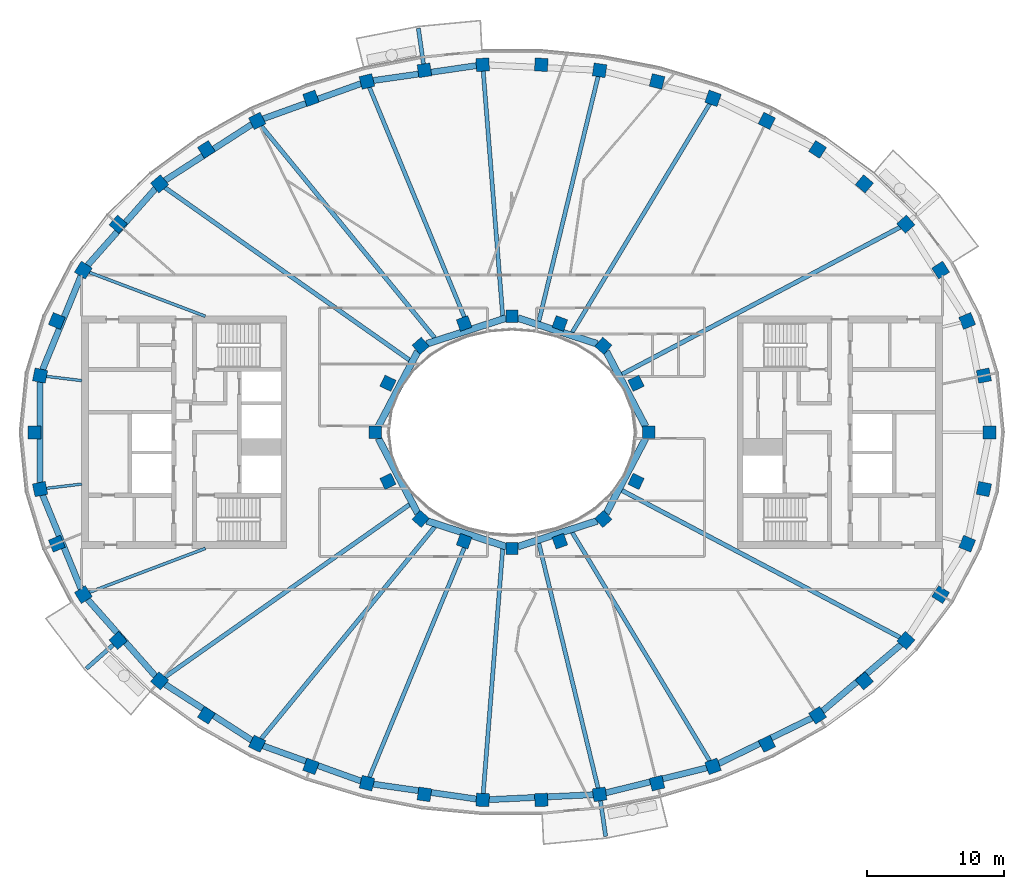
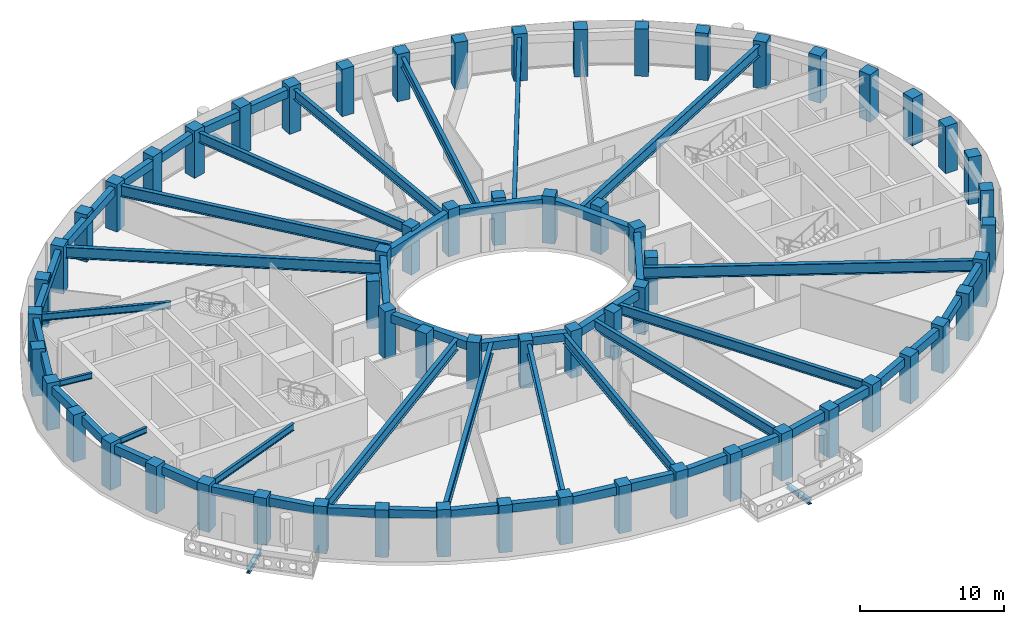
# One storey, part 1 of 16: 62 columns, 44 beams.
"""IFC4 building model written with IfcOpenShell, lengths in metres."""

from ifc_helpers import new_model, si_unit, direction, frame, origin, origin_2d, place, context, subcontext, project, spatial, rectangle, i_section, extrude, material, material_profile, profile_set, type_object, element, save


model = new_model("IFC4")

# Units and contexts
model_context = context("Model", 3, precision=1e-05, world=origin(), true_north=direction((0.0, 1.0)))
body_context = subcontext(model_context, "Body", "Model", "MODEL_VIEW")
ifc_project = project(units=[si_unit("LENGTHUNIT", "METRE"), si_unit("AREAUNIT", "SQUARE_METRE"), si_unit("VOLUMEUNIT", "CUBIC_METRE"), si_unit("PLANEANGLEUNIT", "RADIAN"), si_unit("MASSUNIT", "GRAM", prefix="KILO")], contexts=[model_context])

# Site, building, storey
site_placement = place(None, origin())
site = spatial("IfcSite", under=ifc_project, at=site_placement, CompositionType="ELEMENT")
building_placement = place(site_placement, origin())
building = spatial("IfcBuilding", under=site, at=building_placement, Name="Noorbagh Ring Tower", CompositionType="ELEMENT")
storey_placement = place(building_placement, frame((0.0, 0.0, 299.0)))
storey = spatial("IfcBuildingStorey", under=building, at=storey_placement, Name="L64", CompositionType="ELEMENT", Elevation=299.0)

# Columns
ifc_material_1 = material(Name="Concrete C50/60", Category="concrete")
ifc_material_profile_1 = material_profile(ifc_material_1, rectangle(XDim=0.949951171875, YDim=0.949951171875, at=origin_2d()), Name="RC950x950")
ifc_profile_set_1 = profile_set([ifc_material_profile_1], Name="Concrete C50/60")
column_type_1 = type_object("IfcColumnType", Name="STR-COL-RC950x950-C50-60", PredefinedType="COLUMN", material=ifc_profile_set_1)
for number, where, z_axis, x_axis, name in (
    (1, (34.944580078125, 0.0, 0.0), (0.0, 0.0, 1.0), (0.0, 1.0, 0.0), "L64/col/R1-01"),
    (2, (34.52685546875, 4.150634765625, 0.0), (0.0, 0.0, 1.0), (-0.19723040178, 0.9803571638, 0.0), "L64/col/R1-02"),
    (3, (33.30517578125, 8.1494140625, 0.0), (0.0, 0.0, 1.0), (-0.378989499959, 0.925400971969, 0.0), "L64/col/R1-03"),
    (4, (31.364990234375, 11.87109375, 0.0), (0.0, 0.0, 1.0), (-0.535190403059, 0.844731455833, 0.0), "L64/col/R1-04"),
    (5, (28.81884765625, 15.23046875, 0.0), (0.0, 0.0, 1.0), (-0.662635642662, 0.748941923699, 0.0), "L64/col/R1-05"),
    (6, (25.78271484375, 18.180419921875, 0.0), (0.0, 0.0, 1.0), (-0.763035199656, 0.646356932419, 0.0), "L64/col/R1-06"),
    (7, (22.362060546875, 20.699951171875, 0.0), (0.0, 0.0, 1.0), (-0.840247639643, 0.542202825586, 0.0), "L64/col/R1-07"),
    (8, (18.646240234375, 22.785400390625, 0.0), (0.0, 0.0, 1.0), (-0.898399080868, 0.439180021741, 0.0), "L64/col/R1-08"),
    (9, (14.70947265625, 24.44091796875, 0.0), (0.0, 0.0, 1.0), (-0.941024726094, 0.338337797003, 0.0), "L64/col/R1-09"),
    (10, (10.61328125, 25.673583984375, 0.0), (0.0, 0.0, 1.0), (-0.970829360981, 0.239771457553, 0.0), "L64/col/R1-10"),
    (11, (6.4091796875, 26.49072265625, 0.0), (0.0, 0.0, 1.0), (-0.989713114048, 0.143066249975, 0.0), "L64/col/R1-11"),
    (12, (2.14306640625, 26.89794921875, 0.0), (0.0, 0.0, 1.0), (-0.998868731212, 0.047552684538, 0.0), "L64/col/R1-12"),
    (13, (-2.14306640625, 26.89794921875, 0.0), (0.0, 0.0, 1.0), (-0.998868731212, -0.047552684538, 0.0), "L64/col/R1-13"),
    (14, (-6.4091796875, 26.49072265625, 0.0), (0.0, 0.0, 1.0), (-0.989713114048, -0.143066249975, 0.0), "L64/col/R1-14"),
    (15, (-10.61328125, 25.673583984375, 0.0), (0.0, 0.0, 1.0), (-0.970829360981, -0.239771457553, 0.0), "L64/col/R1-15"),
    (16, (-14.70947265625, 24.44091796875, 0.0), (0.0, 0.0, 1.0), (-0.941024726094, -0.338337797003, 0.0), "L64/col/R1-16"),
    (17, (-18.646240234375, 22.785400390625, 0.0), (0.0, 0.0, 1.0), (-0.898399080868, -0.439180021741, 0.0), "L64/col/R1-17"),
    (18, (-22.362060546875, 20.699951171875, 0.0), (0.0, 0.0, 1.0), (-0.840247639643, -0.542202825586, 0.0), "L64/col/R1-18"),
    (19, (-25.78271484375, 18.180419921875, 0.0), (0.0, 0.0, 1.0), (-0.763035199656, -0.646356932419, 0.0), "L64/col/R1-19"),
    (20, (-28.81884765625, 15.23046875, 0.0), (0.0, 0.0, 1.0), (-0.662635642662, -0.748941923699, 0.0), "L64/col/R1-20"),
    (21, (-31.364990234375, 11.87109375, 0.0), (0.0, 0.0, 1.0), (-0.535190403059, -0.844731455833, 0.0), "L64/col/R1-21"),
    (22, (-33.30517578125, 8.1494140625, 0.0), (0.0, 0.0, 1.0), (-0.378989499959, -0.925400971969, 0.0), "L64/col/R1-22"),
    (23, (-34.52685546875, 4.150634765625, 0.0), (0.0, 0.0, 1.0), (-0.19723040178, -0.9803571638, 0.0), "L64/col/R1-23"),
    (24, (-34.944580078125, 0.0, 0.0), (0.0, 0.0, 1.0), (0.0, -1.0, 0.0), "L64/col/R1-24"),
    (25, (-34.52685546875, -4.150634765625, 0.0), (0.0, 0.0, 1.0), (0.19723040178, -0.9803571638, 0.0), "L64/col/R1-25"),
    (26, (-33.30517578125, -8.1494140625, 0.0), (0.0, 0.0, 1.0), (0.378989499959, -0.925400971969, 0.0), "L64/col/R1-26"),
    (27, (-31.364990234375, -11.87109375, 0.0), (0.0, 0.0, 1.0), (0.535190403059, -0.844731455833, 0.0), "L64/col/R1-27"),
    (28, (-28.81884765625, -15.23046875, 0.0), (0.0, 0.0, 1.0), (0.662635642662, -0.748941923699, 0.0), "L64/col/R1-28"),
    (29, (-25.78271484375, -18.180419921875, 0.0), (0.0, 0.0, 1.0), (0.763035199656, -0.646356932419, 0.0), "L64/col/R1-29"),
    (30, (-22.362060546875, -20.699951171875, 0.0), (0.0, 0.0, 1.0), (0.840247639643, -0.542202825586, 0.0), "L64/col/R1-30"),
    (31, (-18.646240234375, -22.785400390625, 0.0), (0.0, 0.0, 1.0), (0.898399080868, -0.439180021741, 0.0), "L64/col/R1-31"),
    (32, (-14.70947265625, -24.44091796875, 0.0), (0.0, 0.0, 1.0), (0.941024726094, -0.338337797003, 0.0), "L64/col/R1-32"),
    (33, (-10.61328125, -25.673583984375, 0.0), (0.0, 0.0, 1.0), (0.970829360981, -0.239771457553, 0.0), "L64/col/R1-33"),
    (34, (-6.4091796875, -26.49072265625, 0.0), (0.0, 0.0, 1.0), (0.989713114048, -0.143066249975, 0.0), "L64/col/R1-34"),
    (35, (-2.14306640625, -26.89794921875, 0.0), (0.0, 0.0, 1.0), (0.998868731212, -0.047552684538, 0.0), "L64/col/R1-35"),
    (36, (2.14306640625, -26.89794921875, 0.0), (0.0, 0.0, 1.0), (0.998868731212, 0.047552684538, 0.0), "L64/col/R1-36"),
    (37, (6.4091796875, -26.49072265625, 0.0), (0.0, 0.0, 1.0), (0.989713114048, 0.143066249975, 0.0), "L64/col/R1-37"),
    (38, (10.61328125, -25.673583984375, 0.0), (0.0, 0.0, 1.0), (0.970829360981, 0.239771457553, 0.0), "L64/col/R1-38"),
    (39, (14.70947265625, -24.44091796875, 0.0), (0.0, 0.0, 1.0), (0.941024726094, 0.338337797003, 0.0), "L64/col/R1-39"),
    (40, (18.646240234375, -22.785400390625, 0.0), (0.0, 0.0, 1.0), (0.898399080868, 0.439180021741, 0.0), "L64/col/R1-40"),
    (41, (22.362060546875, -20.699951171875, 0.0), (0.0, 0.0, 1.0), (0.840247639643, 0.542202825586, 0.0), "L64/col/R1-41"),
    (42, (25.78271484375, -18.180419921875, 0.0), (0.0, 0.0, 1.0), (0.763035199656, 0.646356932419, 0.0), "L64/col/R1-42"),
    (43, (28.81884765625, -15.23046875, 0.0), (0.0, 0.0, 1.0), (0.662635642662, 0.748941923699, 0.0), "L64/col/R1-43"),
    (44, (31.364990234375, -11.87109375, 0.0), (0.0, 0.0, 1.0), (0.535190403059, 0.844731455833, 0.0), "L64/col/R1-44"),
    (45, (33.30517578125, -8.1494140625, 0.0), (0.0, 0.0, 1.0), (0.378989499959, 0.925400971969, 0.0), "L64/col/R1-45"),
    (46, (34.52685546875, -4.150634765625, 0.0), (0.0, 0.0, 1.0), (0.19723040178, 0.9803571638, 0.0), "L64/col/R1-46"),
):
    element("IfcColumn", number, at=place(storey_placement, frame(where, z_axis=z_axis, x_axis=x_axis)), inside=storey, type_object=column_type_1, Name=name, PredefinedType="COLUMN", context=body_context, shape_type="SweptSolid", body=[
        extrude(rectangle(XDim=0.949951171875, YDim=0.949951171875, at=origin_2d()), origin(), (0.0, 0.0, 1.0), 4.0),
    ])
ifc_material_2 = material(Name="Concrete C50/60", Category="concrete")
ifc_material_profile_2 = material_profile(ifc_material_2, rectangle(XDim=0.89990234375, YDim=0.89990234375, at=origin_2d()), Name="RC900x900")
ifc_profile_set_2 = profile_set([ifc_material_profile_2], Name="Concrete C50/60")
column_type_2 = type_object("IfcColumnType", Name="STR-ICOL-RC900x900-C50-60", PredefinedType="COLUMN", material=ifc_profile_set_2)
for number, where, z_axis, x_axis, name in (
    (47, (10.00830078125, 0.0, 0.0), (0.0, 0.0, 1.0), (0.0, 1.0, 0.0), "L64/col/IR2-W01"),
    (48, (9.07568359375, 3.58837890625, 0.0), (0.0, 0.0, 1.0), (-0.428666979171, 0.903462573087, 0.0), "L64/col/IR2-W03"),
    (49, (6.68212890625, 6.333740234375, 0.0), (0.0, 0.0, 1.0), (-0.75102249095, 0.660276622399, 0.0), "L64/col/IR2-W05"),
    (50, (3.5009765625, 7.967041015625, 0.0), (0.0, 0.0, 1.0), (-0.939019578916, 0.343863679984, 0.0), "L64/col/IR2-W07"),
    (51, (0.0, 8.5029296875, 0.0), (0.0, 0.0, 1.0), (-1.0, 0.0, 0.0), "L64/col/IR2-W09"),
    (52, (-3.5009765625, 7.967041015625, 0.0), (0.0, 0.0, 1.0), (-0.939019578916, -0.343863679984, 0.0), "L64/col/IR2-W11"),
    (53, (-6.68212890625, 6.333740234375, 0.0), (0.0, 0.0, 1.0), (-0.75102249095, -0.660276622399, 0.0), "L64/col/IR2-W13"),
    (54, (-9.07568359375, 3.58837890625, 0.0), (0.0, 0.0, 1.0), (-0.428666979171, -0.903462573087, 0.0), "L64/col/IR2-W15"),
    (55, (-10.00830078125, 0.0, 0.0), (0.0, 0.0, 1.0), (0.0, -1.0, 0.0), "L64/col/IR2-W17"),
    (56, (-9.07568359375, -3.58837890625, 0.0), (0.0, 0.0, 1.0), (0.428666979171, -0.903462573087, 0.0), "L64/col/IR2-W19"),
    (57, (-6.68212890625, -6.333740234375, 0.0), (0.0, 0.0, 1.0), (0.75102249095, -0.660276622399, 0.0), "L64/col/IR2-W21"),
    (58, (-3.5009765625, -7.967041015625, 0.0), (0.0, 0.0, 1.0), (0.939019578916, -0.343863679984, 0.0), "L64/col/IR2-W23"),
    (59, (0.0, -8.5029296875, 0.0), (0.0, 0.0, 1.0), (1.0, 0.0, 0.0), "L64/col/IR2-W25"),
    (60, (3.5009765625, -7.967041015625, 0.0), (0.0, 0.0, 1.0), (0.939019578916, 0.343863679984, 0.0), "L64/col/IR2-W27"),
    (61, (6.68212890625, -6.333740234375, 0.0), (0.0, 0.0, 1.0), (0.75102249095, 0.660276622399, 0.0), "L64/col/IR2-W29"),
    (62, (9.07568359375, -3.58837890625, 0.0), (0.0, 0.0, 1.0), (0.428666979171, 0.903462573087, 0.0), "L64/col/IR2-W31"),
):
    element("IfcColumn", number, at=place(storey_placement, frame(where, z_axis=z_axis, x_axis=x_axis)), inside=storey, type_object=column_type_2, Name=name, PredefinedType="COLUMN", context=body_context, shape_type="SweptSolid", body=[
        extrude(rectangle(XDim=0.89990234375, YDim=0.89990234375, at=origin_2d()), origin(), (0.0, 0.0, 1.0), 4.0),
    ])

# Beams
ifc_material_3 = material(Name="Steel S355", Category="steel")
ifc_material_profile_3 = material_profile(ifc_material_3, i_section(OverallWidth=0.300048828125, OverallDepth=0.39990234375, WebThickness=0.013427734375, FlangeThickness=0.02392578125, FilletRadius=0.027099609375, at=origin_2d()), Name="HEB400")
ifc_profile_set_3 = profile_set([ifc_material_profile_3], Name="Steel S355")
beam_type_1 = type_object("IfcBeamType", Name="STR-BALCONY-BRACKET-HEB400", PredefinedType="BEAM", material=ifc_profile_set_3)
beam_1_placement = place(storey_placement, frame((-6.474365234375, 26.941162109375, -0.5), z_axis=(-0.143047035154, 0.989715891422, 0.0), x_axis=(-0.989715891422, -0.143047035154, 0.0)))
element("IfcBeam", 63, at=beam_1_placement, inside=storey, type_object=beam_type_1, Name="Balcony bracket beam BN04", PredefinedType="BEAM", context=body_context, shape_type="SweptSolid", body=[
    extrude(i_section(OverallWidth=0.300048828125, OverallDepth=0.39990234375, WebThickness=0.013427734375, FlangeThickness=0.02392578125, FilletRadius=0.027099609375, at=origin_2d()), origin(), (0.0, 0.0, 1.0), 2.64892578125),
])
beam_2_placement = place(storey_placement, frame((-29.15966796875, -15.531982421875, -0.5), z_axis=(-0.749056248736, -0.662506404671, 0.0), x_axis=(0.662506404671, -0.749056248736, 0.0)))
element("IfcBeam", 64, at=beam_2_placement, inside=storey, type_object=beam_type_1, Name="Balcony bracket beam BS01", PredefinedType="BEAM", context=body_context, shape_type="SweptSolid", body=[
    extrude(i_section(OverallWidth=0.300048828125, OverallDepth=0.39990234375, WebThickness=0.013427734375, FlangeThickness=0.02392578125, FilletRadius=0.027099609375, at=origin_2d()), origin(), (0.0, 0.0, 1.0), 2.654296875),
])
beam_3_placement = place(storey_placement, frame((6.474365234375, -26.941162109375, -0.5), z_axis=(0.143047035154, -0.989715891422, 0.0), x_axis=(0.989715891422, 0.143047035154, 0.0)))
element("IfcBeam", 65, at=beam_3_placement, inside=storey, type_object=beam_type_1, Name="Balcony bracket beam BS04", PredefinedType="BEAM", context=body_context, shape_type="SweptSolid", body=[
    extrude(i_section(OverallWidth=0.300048828125, OverallDepth=0.39990234375, WebThickness=0.013427734375, FlangeThickness=0.02392578125, FilletRadius=0.027099609375, at=origin_2d()), origin(), (0.0, 0.0, 1.0), 2.64892578125),
])
ifc_material_4 = material(Name="Steel S355", Category="steel")
ifc_material_profile_4 = material_profile(ifc_material_4, i_section(OverallWidth=0.199951171875, OverallDepth=0.5, WebThickness=0.01025390625, FlangeThickness=0.01611328125, FilletRadius=0.02099609375, at=origin_2d()), Name="IPE500")
ifc_profile_set_4 = profile_set([ifc_material_profile_4], Name="Steel S355")
beam_type_2 = type_object("IfcBeamType", Name="STR-RAD-IPE500", PredefinedType="BEAM", material=ifc_profile_set_4)
for number, where, z_axis, x_axis, name in (
    (66, (-34.073486328125, 4.09619140625, 3.449951171875), (0.99285071941, -0.11936267828, 0.0), (0.11936267828, 0.99285071941, 0.0), "L64/bm/RD23"),
    (67, (-34.073486328125, -4.09619140625, 3.449951171875), (0.99285071941, 0.11936267828, 0.0), (-0.11936267828, 0.99285071941, 0.0), "L64/bm/RD25"),
):
    element("IfcBeam", number, at=place(storey_placement, frame(where, z_axis=z_axis, x_axis=x_axis)), inside=storey, type_object=beam_type_2, Name=name, PredefinedType="BEAM", context=body_context, shape_type="SweptSolid", body=[
        extrude(i_section(OverallWidth=0.199951171875, OverallDepth=0.5, WebThickness=0.01025390625, FlangeThickness=0.01611328125, FilletRadius=0.02099609375, at=origin_2d()), origin(), (0.0, 0.0, 1.0), 2.61181640625),
    ])
ifc_material_5 = material(Name="Steel S355", Category="steel")
ifc_material_profile_5 = material_profile(ifc_material_5, i_section(OverallWidth=0.219970703125, OverallDepth=0.60009765625, WebThickness=0.011962890625, FlangeThickness=0.01904296875, FilletRadius=0.02392578125, at=origin_2d()), Name="IPE600")
ifc_profile_set_5 = profile_set([ifc_material_profile_5], Name="Steel S355")
beam_type_3 = type_object("IfcBeamType", Name="STR-RAD-IPE600", PredefinedType="BEAM", material=ifc_profile_set_5)
for number, where, z_axis, x_axis, name in (
    (68, (-30.93017578125, 11.706298828125, 3.39990234375), (0.935258347676, -0.353965850192, 0.0), (0.353965850192, 0.935258347676, 0.0), "L64/bm/RD21"),
    (69, (-30.93017578125, -11.706298828125, 3.39990234375), (0.935258347676, 0.353965850192, 0.0), (-0.353965850192, 0.935258347676, 0.0), "L64/bm/RD27"),
):
    element("IfcBeam", number, at=place(storey_placement, frame(where, z_axis=z_axis, x_axis=x_axis)), inside=storey, type_object=beam_type_3, Name=name, PredefinedType="BEAM", context=body_context, shape_type="SweptSolid", body=[
        extrude(i_section(OverallWidth=0.219970703125, OverallDepth=0.60009765625, WebThickness=0.011962890625, FlangeThickness=0.01904296875, FilletRadius=0.02392578125, at=origin_2d()), origin(), (0.0, 0.0, 1.0), 9.078125),
    ])
ifc_material_6 = material(Name="Steel S355", Category="steel")
ifc_material_profile_6 = material_profile(ifc_material_6, i_section(OverallWidth=0.300048828125, OverallDepth=0.85009765625, WebThickness=0.013916015625, FlangeThickness=0.028076171875, at=origin_2d()), Name="PG850x300x14x28")
ifc_profile_set_6 = profile_set([ifc_material_profile_6], Name="Steel S355")
beam_type_4 = type_object("IfcBeamType", Name="STR-RAD-PG850x300x14x28", PredefinedType="BEAM", material=ifc_profile_set_6)
beam_4_placement = place(storey_placement, frame((14.469970703125, 24.04296875, 3.27490234375), z_axis=(-0.515650204939, -0.856799198264, 0.0), x_axis=(0.856799198264, -0.515650204939, 0.0)))
element("IfcBeam", 70, at=beam_4_placement, inside=storey, type_object=beam_type_4, Name="L64/bm/RD09", PredefinedType="BEAM", context=body_context, shape_type="SweptSolid", body=[
    extrude(i_section(OverallWidth=0.300048828125, OverallDepth=0.85009765625, WebThickness=0.013916015625, FlangeThickness=0.028076171875, at=origin_2d()), origin(), (0.0, 0.0, 1.0), 19.522705078125),
])
beam_5_placement = place(storey_placement, frame((6.3017578125, 26.046630859375, 3.27490234375), z_axis=(-0.235155145901, -0.97195784752, 0.0), x_axis=(0.97195784752, -0.235155145901, 0.0)))
element("IfcBeam", 71, at=beam_5_placement, inside=storey, type_object=beam_type_4, Name="L64/bm/RD11", PredefinedType="BEAM", context=body_context, shape_type="SweptSolid", body=[
    extrude(i_section(OverallWidth=0.300048828125, OverallDepth=0.85009765625, WebThickness=0.013916015625, FlangeThickness=0.028076171875, at=origin_2d()), origin(), (0.0, 0.0, 1.0), 18.456298828125),
])
beam_6_placement = place(storey_placement, frame((-2.10693359375, 26.444091796875, 3.27490234375), z_axis=(0.079423498712, -0.996840964172, 0.0), x_axis=(0.996840964172, 0.079423498712, 0.0)))
element("IfcBeam", 72, at=beam_6_placement, inside=storey, type_object=beam_type_4, Name="L64/bm/RD13", PredefinedType="BEAM", context=body_context, shape_type="SweptSolid", body=[
    extrude(i_section(OverallWidth=0.300048828125, OverallDepth=0.85009765625, WebThickness=0.013916015625, FlangeThickness=0.028076171875, at=origin_2d()), origin(), (0.0, 0.0, 1.0), 17.976318359375),
])
for number, where, z_axis, x_axis, name in (
    (73, (-10.437255859375, 25.248046875, 3.27490234375), (0.382035124729, -0.924147803911, 0.0), (0.924147803911, 0.382035124729, 0.0), "L64/bm/RD15"),
    (74, (-10.437255859375, -25.248046875, 3.27490234375), (0.382035124729, 0.924147803911, 0.0), (-0.924147803911, 0.382035124729, 0.0), "L64/bm/RD33"),
):
    element("IfcBeam", number, at=place(storey_placement, frame(where, z_axis=z_axis, x_axis=x_axis)), inside=storey, type_object=beam_type_4, Name=name, PredefinedType="BEAM", context=body_context, shape_type="SweptSolid", body=[
        extrude(i_section(OverallWidth=0.300048828125, OverallDepth=0.85009765625, WebThickness=0.013916015625, FlangeThickness=0.028076171875, at=origin_2d()), origin(), (0.0, 0.0, 1.0), 18.977294921875),
    ])
beam_7_placement = place(storey_placement, frame((-2.10693359375, -26.444091796875, 3.27490234375), z_axis=(0.079423498712, 0.996840964172, 0.0), x_axis=(-0.996840964172, 0.079423498712, 0.0)))
element("IfcBeam", 75, at=beam_7_placement, inside=storey, type_object=beam_type_4, Name="L64/bm/RD35", PredefinedType="BEAM", context=body_context, shape_type="SweptSolid", body=[
    extrude(i_section(OverallWidth=0.300048828125, OverallDepth=0.85009765625, WebThickness=0.013916015625, FlangeThickness=0.028076171875, at=origin_2d()), origin(), (0.0, 0.0, 1.0), 17.976318359375),
])
beam_8_placement = place(storey_placement, frame((6.3017578125, -26.046630859375, 3.27490234375), z_axis=(-0.235155145901, 0.97195784752, 0.0), x_axis=(-0.97195784752, -0.235155145901, 0.0)))
element("IfcBeam", 76, at=beam_8_placement, inside=storey, type_object=beam_type_4, Name="L64/bm/RD37", PredefinedType="BEAM", context=body_context, shape_type="SweptSolid", body=[
    extrude(i_section(OverallWidth=0.300048828125, OverallDepth=0.85009765625, WebThickness=0.013916015625, FlangeThickness=0.028076171875, at=origin_2d()), origin(), (0.0, 0.0, 1.0), 18.456298828125),
])
beam_9_placement = place(storey_placement, frame((14.469970703125, -24.04296875, 3.27490234375), z_axis=(-0.515650204939, 0.856799198264, 0.0), x_axis=(-0.856799198264, -0.515650204939, 0.0)))
element("IfcBeam", 77, at=beam_9_placement, inside=storey, type_object=beam_type_4, Name="L64/bm/RD39", PredefinedType="BEAM", context=body_context, shape_type="SweptSolid", body=[
    extrude(i_section(OverallWidth=0.300048828125, OverallDepth=0.85009765625, WebThickness=0.013916015625, FlangeThickness=0.028076171875, at=origin_2d()), origin(), (0.0, 0.0, 1.0), 19.522705078125),
])
ifc_material_7 = material(Name="Steel S355", Category="steel")
ifc_material_profile_7 = material_profile(ifc_material_7, i_section(OverallWidth=0.320068359375, OverallDepth=0.949951171875, WebThickness=0.01611328125, FlangeThickness=0.030029296875, at=origin_2d()), Name="PG950x320x16x30")
ifc_profile_set_7 = profile_set([ifc_material_profile_7], Name="Steel S355")
beam_type_5 = type_object("IfcBeamType", Name="STR-RAD-PG950x320x16x30", PredefinedType="BEAM", material=ifc_profile_set_7)
beam_10_placement = place(storey_placement, frame((28.404296875, 15.011474609375, 3.22509765625), z_axis=(-0.884125650742, -0.467249220118, 0.0), x_axis=(0.467249220118, -0.884125650742, 0.0)))
element("IfcBeam", 78, at=beam_10_placement, inside=storey, type_object=beam_type_5, Name="L64/bm/RD05", PredefinedType="BEAM", context=body_context, shape_type="SweptSolid", body=[
    extrude(i_section(OverallWidth=0.320068359375, OverallDepth=0.949951171875, WebThickness=0.01611328125, FlangeThickness=0.030029296875, at=origin_2d()), origin(), (0.0, 0.0, 1.0), 23.0361328125),
])
beam_11_placement = place(storey_placement, frame((-18.349853515625, 22.42333984375, 3.22509765625), z_axis=(0.633310080716, -0.773898146828, 0.0), x_axis=(0.773898146828, 0.633310080716, 0.0)))
element("IfcBeam", 79, at=beam_11_placement, inside=storey, type_object=beam_type_5, Name="L64/bm/RD17", PredefinedType="BEAM", context=body_context, shape_type="SweptSolid", body=[
    extrude(i_section(OverallWidth=0.320068359375, OverallDepth=0.949951171875, WebThickness=0.01611328125, FlangeThickness=0.030029296875, at=origin_2d()), origin(), (0.0, 0.0, 1.0), 20.045166015625),
])
for number, where, z_axis, x_axis, name in (
    (80, (-25.39794921875, 17.908935546875, 3.22509765625), (0.817258066594, -0.576271856494, 0.0), (0.576271856494, 0.817258066594, 0.0), "L64/bm/RD19"),
    (81, (-25.39794921875, -17.908935546875, 3.22509765625), (0.817258066594, 0.576271856494, 0.0), (-0.576271856494, 0.817258066594, 0.0), "L64/bm/RD29"),
):
    element("IfcBeam", number, at=place(storey_placement, frame(where, z_axis=z_axis, x_axis=x_axis)), inside=storey, type_object=beam_type_5, Name=name, PredefinedType="BEAM", context=body_context, shape_type="SweptSolid", body=[
        extrude(i_section(OverallWidth=0.320068359375, OverallDepth=0.949951171875, WebThickness=0.01611328125, FlangeThickness=0.030029296875, at=origin_2d()), origin(), (0.0, 0.0, 1.0), 21.907958984375),
    ])
beam_12_placement = place(storey_placement, frame((-18.349853515625, -22.42333984375, 3.22509765625), z_axis=(0.633310080716, 0.773898146828, 0.0), x_axis=(-0.773898146828, 0.633310080716, 0.0)))
element("IfcBeam", 82, at=beam_12_placement, inside=storey, type_object=beam_type_5, Name="L64/bm/RD31", PredefinedType="BEAM", context=body_context, shape_type="SweptSolid", body=[
    extrude(i_section(OverallWidth=0.320068359375, OverallDepth=0.949951171875, WebThickness=0.01611328125, FlangeThickness=0.030029296875, at=origin_2d()), origin(), (0.0, 0.0, 1.0), 20.045166015625),
])
beam_13_placement = place(storey_placement, frame((28.404296875, -15.011474609375, 3.22509765625), z_axis=(-0.884125650742, 0.467249220118, 0.0), x_axis=(-0.467249220118, -0.884125650742, 0.0)))
element("IfcBeam", 83, at=beam_13_placement, inside=storey, type_object=beam_type_5, Name="L64/bm/RD43", PredefinedType="BEAM", context=body_context, shape_type="SweptSolid", body=[
    extrude(i_section(OverallWidth=0.320068359375, OverallDepth=0.949951171875, WebThickness=0.01611328125, FlangeThickness=0.030029296875, at=origin_2d()), origin(), (0.0, 0.0, 1.0), 23.0361328125),
])
ifc_material_8 = material(Name="Concrete C40/50", Category="concrete")
ifc_material_profile_8 = material_profile(ifc_material_8, rectangle(XDim=0.5, YDim=0.699951171875, at=origin_2d()), Name="RC500x700")
ifc_profile_set_8 = profile_set([ifc_material_profile_8], Name="Concrete C40/50")
beam_type_6 = type_object("IfcBeamType", Name="STR-RB-RC500x700-C40-50", PredefinedType="BEAM", material=ifc_profile_set_8)
beam_14_placement = place(storey_placement, frame((9.781494140625, 0.432373046875, 3.35009765625), z_axis=(-0.464959609013, 0.885331893691, 0.0), x_axis=(-0.885331893691, -0.464959609013, 0.0)))
element("IfcBeam", 84, at=beam_14_placement, inside=storey, type_object=beam_type_6, Name="L64/bm/RG01", PredefinedType="BEAM", context=body_context, shape_type="SweptSolid", body=[
    extrude(rectangle(XDim=0.5, YDim=0.699951171875, at=origin_2d()), origin(), (0.0, 0.0, 1.0), 6.203857421875),
])
for number, where, z_axis, x_axis, name in (
    (85, (6.235107421875, 6.47900390625, 3.35009765625), (-0.951146317375, 0.308740478303, 0.0), (-0.308740478303, -0.951146317375, 0.0), "L64/bm/RG03"),
    (86, (-0.430908203125, 8.363037109375, 3.35009765625), (-0.951146317375, -0.308740478303, 0.0), (0.308740478303, -0.951146317375, 0.0), "L64/bm/RG05"),
):
    element("IfcBeam", number, at=place(storey_placement, frame(where, z_axis=z_axis, x_axis=x_axis)), inside=storey, type_object=beam_type_6, Name=name, PredefinedType="BEAM", context=body_context, shape_type="SweptSolid", body=[
        extrude(rectangle(XDim=0.5, YDim=0.699951171875, at=origin_2d()), origin(), (0.0, 0.0, 1.0), 6.102294921875),
    ])
for number, where, z_axis, x_axis, name in (
    (87, (-6.89697265625, 5.9248046875, 3.35009765625), (-0.464959609013, -0.885331893691, 0.0), (0.885331893691, -0.464959609013, 0.0), "L64/bm/RG07"),
    (88, (-9.781494140625, -0.432373046875, 3.35009765625), (0.464959609013, -0.885331893691, 0.0), (0.885331893691, 0.464959609013, 0.0), "L64/bm/RG09"),
):
    element("IfcBeam", number, at=place(storey_placement, frame(where, z_axis=z_axis, x_axis=x_axis)), inside=storey, type_object=beam_type_6, Name=name, PredefinedType="BEAM", context=body_context, shape_type="SweptSolid", body=[
        extrude(rectangle(XDim=0.5, YDim=0.699951171875, at=origin_2d()), origin(), (0.0, 0.0, 1.0), 6.203857421875),
    ])
for number, where, z_axis, x_axis, name in (
    (89, (-6.235107421875, -6.47900390625, 3.35009765625), (0.951146317375, -0.308740478303, 0.0), (0.308740478303, 0.951146317375, 0.0), "L64/bm/RG11"),
    (90, (0.430908203125, -8.363037109375, 3.35009765625), (0.951146317375, 0.308740478303, 0.0), (-0.308740478303, 0.951146317375, 0.0), "L64/bm/RG13"),
):
    element("IfcBeam", number, at=place(storey_placement, frame(where, z_axis=z_axis, x_axis=x_axis)), inside=storey, type_object=beam_type_6, Name=name, PredefinedType="BEAM", context=body_context, shape_type="SweptSolid", body=[
        extrude(rectangle(XDim=0.5, YDim=0.699951171875, at=origin_2d()), origin(), (0.0, 0.0, 1.0), 6.102294921875),
    ])
beam_15_placement = place(storey_placement, frame((6.89697265625, -5.9248046875, 3.35009765625), z_axis=(0.464959609013, 0.885331893691, 0.0), x_axis=(-0.885331893691, 0.464959609013, 0.0)))
element("IfcBeam", 91, at=beam_15_placement, inside=storey, type_object=beam_type_6, Name="L64/bm/RG15", PredefinedType="BEAM", context=body_context, shape_type="SweptSolid", body=[
    extrude(rectangle(XDim=0.5, YDim=0.699951171875, at=origin_2d()), origin(), (0.0, 0.0, 1.0), 6.203857421875),
])
ifc_material_9 = material(Name="Concrete C40/50", Category="concrete")
ifc_material_profile_9 = material_profile(ifc_material_9, rectangle(XDim=0.449951171875, YDim=0.699951171875, at=origin_2d()), Name="RC450x700")
ifc_profile_set_9 = profile_set([ifc_material_profile_9], Name="Concrete C40/50")
beam_type_7 = type_object("IfcBeamType", Name="STR-SB-RC450x700-C40-50", PredefinedType="BEAM", material=ifc_profile_set_9)
beam_16_placement = place(storey_placement, frame((-2.595703125, 26.83251953125, 3.35009765625), z_axis=(-0.989713688826, -0.14306227368, 0.0), x_axis=(0.14306227368, -0.989713688826, 0.0)))
element("IfcBeam", 92, at=beam_16_placement, inside=storey, type_object=beam_type_7, Name="L64/bm/SP13", PredefinedType="BEAM", context=body_context, shape_type="SweptSolid", body=[
    extrude(rectangle(XDim=0.449951171875, YDim=0.699951171875, at=origin_2d()), origin(), (0.0, 0.0, 1.0), 7.6435546875),
])
beam_17_placement = place(storey_placement, frame((-11.043701171875, 25.518798828125, 3.35009765625), z_axis=(-0.941030260788, -0.338322402866, 0.0), x_axis=(0.338322402866, -0.941030260788, 0.0)))
element("IfcBeam", 93, at=beam_17_placement, inside=storey, type_object=beam_type_7, Name="L64/bm/SP15", PredefinedType="BEAM", context=body_context, shape_type="SweptSolid", body=[
    extrude(rectangle(XDim=0.449951171875, YDim=0.699951171875, at=origin_2d()), origin(), (0.0, 0.0, 1.0), 7.62109375),
])
beam_18_placement = place(storey_placement, frame((-19.031494140625, 22.536865234375, 3.35009765625), z_axis=(-0.840242183288, -0.542211281165, 0.0), x_axis=(0.542211281165, -0.840242183288, 0.0)))
element("IfcBeam", 94, at=beam_18_placement, inside=storey, type_object=beam_type_7, Name="L64/bm/SP17", PredefinedType="BEAM", context=body_context, shape_type="SweptSolid", body=[
    extrude(rectangle(XDim=0.449951171875, YDim=0.699951171875, at=origin_2d()), origin(), (0.0, 0.0, 1.0), 7.57568359375),
])
beam_19_placement = place(storey_placement, frame((-26.08740234375, 17.8359375, 3.35009765625), z_axis=(-0.662645487246, -0.748933213466, 0.0), x_axis=(0.748933213466, -0.662645487246, 0.0)))
element("IfcBeam", 95, at=beam_19_placement, inside=storey, type_object=beam_type_7, Name="L64/bm/SP19", PredefinedType="BEAM", context=body_context, shape_type="SweptSolid", body=[
    extrude(rectangle(XDim=0.449951171875, YDim=0.699951171875, at=origin_2d()), origin(), (0.0, 0.0, 1.0), 7.50341796875),
])
beam_20_placement = place(storey_placement, frame((-31.540283203125, 11.443115234375, 3.35009765625), z_axis=(-0.378989151692, -0.925401114598, 0.0), x_axis=(0.925401114598, -0.378989151692, 0.0)))
element("IfcBeam", 96, at=beam_20_placement, inside=storey, type_object=beam_type_7, Name="L64/bm/SP21", PredefinedType="BEAM", context=body_context, shape_type="SweptSolid", body=[
    extrude(rectangle(XDim=0.449951171875, YDim=0.699951171875, at=origin_2d()), origin(), (0.0, 0.0, 1.0), 7.41650390625),
])
beam_21_placement = place(storey_placement, frame((-34.52685546875, 3.68603515625, 3.35009765625), z_axis=(0.0, -1.0, 0.0), x_axis=(1.0, 0.0, 0.0)))
element("IfcBeam", 97, at=beam_21_placement, inside=storey, type_object=beam_type_7, Name="L64/bm/SP23", PredefinedType="BEAM", context=body_context, shape_type="SweptSolid", body=[
    extrude(rectangle(XDim=0.449951171875, YDim=0.699951171875, at=origin_2d()), origin(), (0.0, 0.0, 1.0), 7.3720703125),
])
beam_22_placement = place(storey_placement, frame((-34.35107421875, -4.579833984375, 3.35009765625), z_axis=(0.378989151692, -0.925401114598, 0.0), x_axis=(0.925401114598, 0.378989151692, 0.0)))
element("IfcBeam", 98, at=beam_22_placement, inside=storey, type_object=beam_type_7, Name="L64/bm/SP25", PredefinedType="BEAM", context=body_context, shape_type="SweptSolid", body=[
    extrude(rectangle(XDim=0.449951171875, YDim=0.699951171875, at=origin_2d()), origin(), (0.0, 0.0, 1.0), 7.41650390625),
])
beam_23_placement = place(storey_placement, frame((-31.0595703125, -12.21630859375, 3.35009765625), z_axis=(0.662645487246, -0.748933213466, 0.0), x_axis=(0.748933213466, 0.662645487246, 0.0)))
element("IfcBeam", 99, at=beam_23_placement, inside=storey, type_object=beam_type_7, Name="L64/bm/SP27", PredefinedType="BEAM", context=body_context, shape_type="SweptSolid", body=[
    extrude(rectangle(XDim=0.449951171875, YDim=0.699951171875, at=origin_2d()), origin(), (0.0, 0.0, 1.0), 7.50341796875),
])
beam_24_placement = place(storey_placement, frame((-25.39697265625, -18.42919921875, 3.35009765625), z_axis=(0.840242183288, -0.542211281165, 0.0), x_axis=(0.542211281165, 0.840242183288, 0.0)))
element("IfcBeam", 100, at=beam_24_placement, inside=storey, type_object=beam_type_7, Name="L64/bm/SP29", PredefinedType="BEAM", context=body_context, shape_type="SweptSolid", body=[
    extrude(rectangle(XDim=0.449951171875, YDim=0.699951171875, at=origin_2d()), origin(), (0.0, 0.0, 1.0), 7.57568359375),
])
beam_25_placement = place(storey_placement, frame((-18.21533203125, -22.9404296875, 3.35009765625), z_axis=(0.941030260788, -0.338322402866, 0.0), x_axis=(0.338322402866, 0.941030260788, 0.0)))
element("IfcBeam", 101, at=beam_25_placement, inside=storey, type_object=beam_type_7, Name="L64/bm/SP31", PredefinedType="BEAM", context=body_context, shape_type="SweptSolid", body=[
    extrude(rectangle(XDim=0.449951171875, YDim=0.699951171875, at=origin_2d()), origin(), (0.0, 0.0, 1.0), 7.62109375),
])
beam_26_placement = place(storey_placement, frame((-10.16064453125, -25.739013671875, 3.35009765625), z_axis=(0.989713688826, -0.14306227368, 0.0), x_axis=(0.14306227368, 0.989713688826, 0.0)))
element("IfcBeam", 102, at=beam_26_placement, inside=storey, type_object=beam_type_7, Name="L64/bm/SP33", PredefinedType="BEAM", context=body_context, shape_type="SweptSolid", body=[
    extrude(rectangle(XDim=0.449951171875, YDim=0.699951171875, at=origin_2d()), origin(), (0.0, 0.0, 1.0), 7.6435546875),
])
beam_27_placement = place(storey_placement, frame((-1.6865234375, -26.876220703125, 3.35009765625), z_axis=(0.998869653919, 0.047533298648, 0.0), x_axis=(-0.047533298648, 0.998869653919, 0.0)))
element("IfcBeam", 103, at=beam_27_placement, inside=storey, type_object=beam_type_7, Name="L64/bm/SP35", PredefinedType="BEAM", context=body_context, shape_type="SweptSolid", body=[
    extrude(rectangle(XDim=0.449951171875, YDim=0.699951171875, at=origin_2d()), origin(), (0.0, 0.0, 1.0), 7.647705078125),
])
beam_28_placement = place(storey_placement, frame((6.853271484375, -26.381103515625, 3.35009765625), z_axis=(0.970830763324, 0.239765779427, 0.0), x_axis=(-0.239765779427, 0.970830763324, 0.0)))
element("IfcBeam", 104, at=beam_28_placement, inside=storey, type_object=beam_type_7, Name="L64/bm/SP37", PredefinedType="BEAM", context=body_context, shape_type="SweptSolid", body=[
    extrude(rectangle(XDim=0.449951171875, YDim=0.699951171875, at=origin_2d()), origin(), (0.0, 0.0, 1.0), 7.634765625),
])
beam_29_placement = place(storey_placement, frame((15.120849609375, -24.23974609375, 3.35009765625), z_axis=(0.898405762579, 0.43916635318, 0.0), x_axis=(-0.43916635318, 0.898405762579, 0.0)))
element("IfcBeam", 105, at=beam_29_placement, inside=storey, type_object=beam_type_7, Name="L64/bm/SP39", PredefinedType="BEAM", context=body_context, shape_type="SweptSolid", body=[
    extrude(rectangle(XDim=0.449951171875, YDim=0.699951171875, at=origin_2d()), origin(), (0.0, 0.0, 1.0), 7.6015625),
])
beam_30_placement = place(storey_placement, frame((22.71240234375, -20.4033203125, 3.35009765625), z_axis=(0.763022759798, 0.646371617594, 0.0), x_axis=(-0.646371617594, 0.763022759798, 0.0)))
element("IfcBeam", 106, at=beam_30_placement, inside=storey, type_object=beam_type_7, Name="L64/bm/SP41", PredefinedType="BEAM", context=body_context, shape_type="SweptSolid", body=[
    extrude(rectangle(XDim=0.449951171875, YDim=0.699951171875, at=origin_2d()), origin(), (0.0, 0.0, 1.0), 7.54296875),
])

save(model, "model.ifc")
